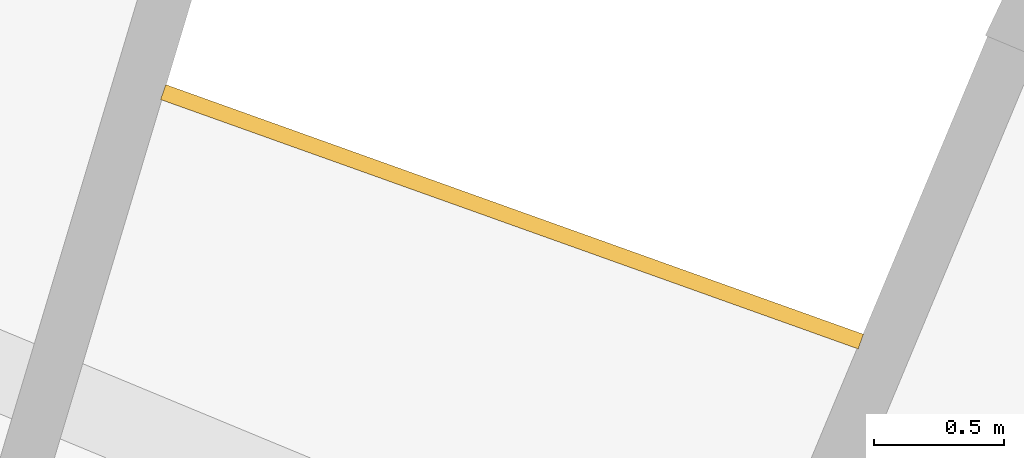
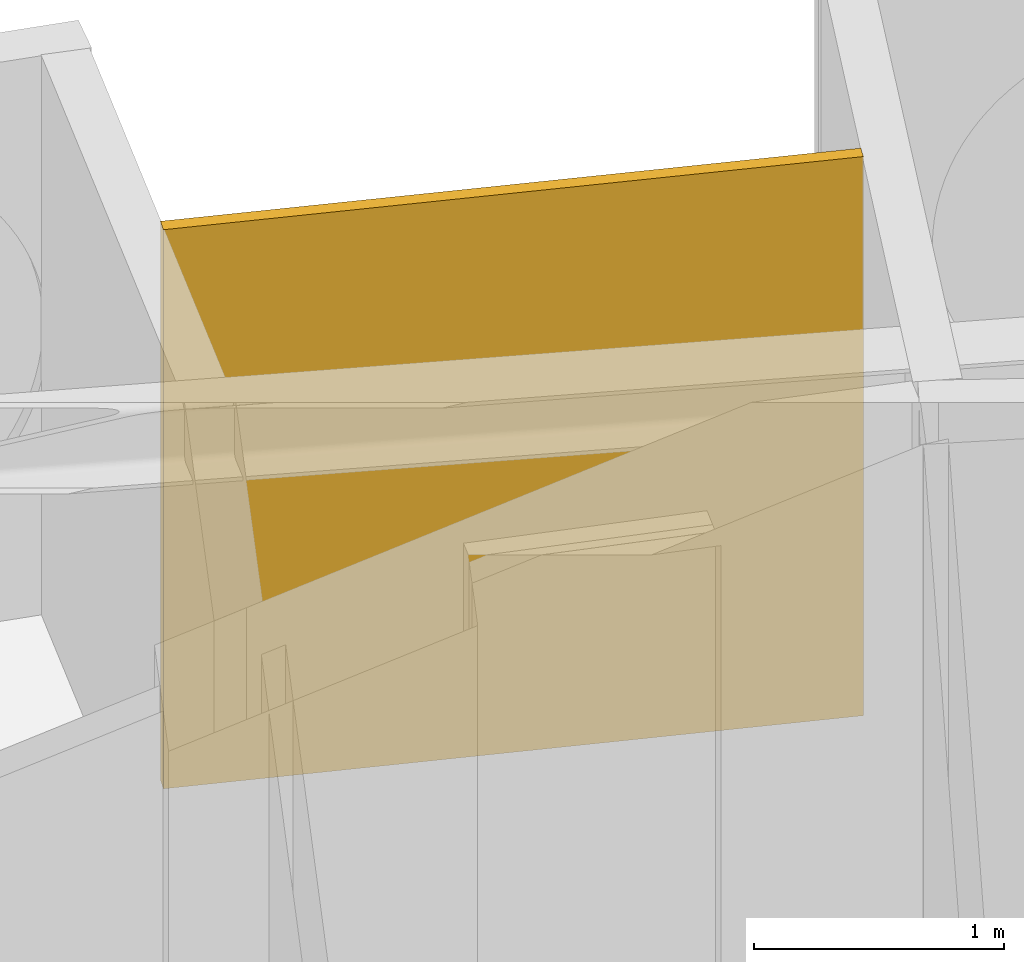
# One storey, part 28 of 28: 1 railing.
"""IFC4 building model written with IfcOpenShell, lengths in metres."""

from ifc_helpers import new_model, si_unit, direction, frame, origin, place, context, subcontext, project, spatial, polyline, outline, extrude, material, layer, layer_set, type_object, element, save


model = new_model("IFC4")

# Units and contexts
model_context = context("Model", 3, precision=1e-05, world=origin(), true_north=direction((0.0, 1.0)))
body_context = subcontext(model_context, "Body", "Model", "MODEL_VIEW")
ifc_project = project(units=[si_unit("LENGTHUNIT", "METRE"), si_unit("AREAUNIT", "SQUARE_METRE"), si_unit("VOLUMEUNIT", "CUBIC_METRE"), si_unit("PLANEANGLEUNIT", "RADIAN"), si_unit("MASSUNIT", "GRAM", prefix="KILO")], contexts=[model_context])

# Site, building, storey
site_placement = place(None, origin())
site = spatial("IfcSite", under=ifc_project, at=site_placement, CompositionType="ELEMENT")
building_placement = place(site_placement, origin())
building = spatial("IfcBuilding", under=site, at=building_placement, Name="Maasbend Ring Residences", CompositionType="ELEMENT")
storey_placement = place(building_placement, frame((0.0, 0.0, 196.300048828125)))
storey = spatial("IfcBuildingStorey", under=building, at=storey_placement, Name="L56", CompositionType="ELEMENT", Elevation=196.300048828125)

# Railing
ifc_material = material(Name="Pale anodised perforated aluminium", Category="aluminium")
ifc_layer = layer(ifc_material, 0.06005859375)
ifc_layer_set = layer_set([ifc_layer], Name="SCREEN-P")
railing_type = type_object("IfcRailingType", Name="SCREEN-P", PredefinedType="GUARDRAIL", material=ifc_layer_set)
railing_placement = place(storey_placement, frame((0.0, 0.0, -0.030029296875)))
element("IfcRailing", 1, at=railing_placement, inside=storey, type_object=railing_type, Name="Perforated screen guard 4", PredefinedType="GUARDRAIL", context=body_context, shape_type="SweptSolid", body=[
    extrude(outline(polyline([(11.097900390625, 26.79296875), (8.41796875, 27.7509765625), (8.43798828125, 27.80810546875), (11.117919921875, 26.84912109375), (11.097900390625, 26.79296875)])), origin(), (0.0, 0.0, 1.0), 2.72998046875),
])

save(model, "model.ifc")
